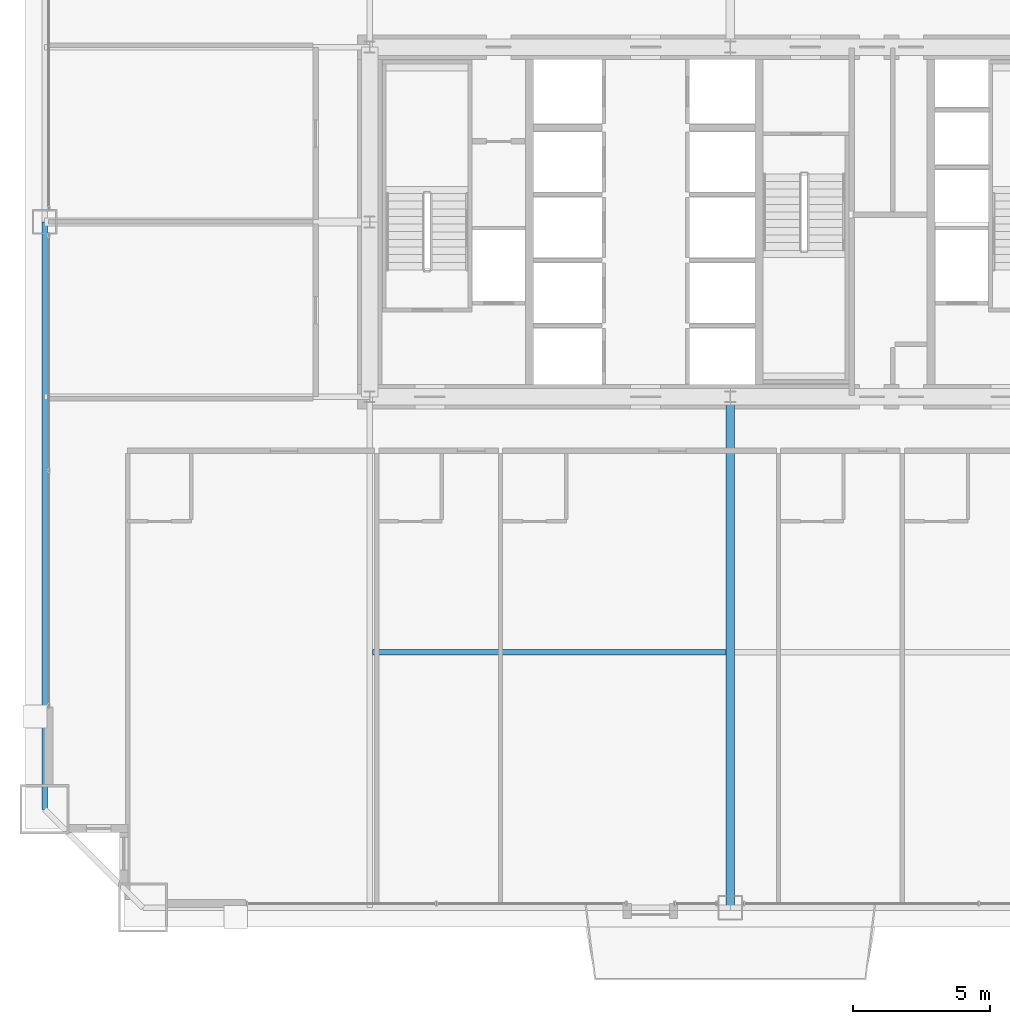
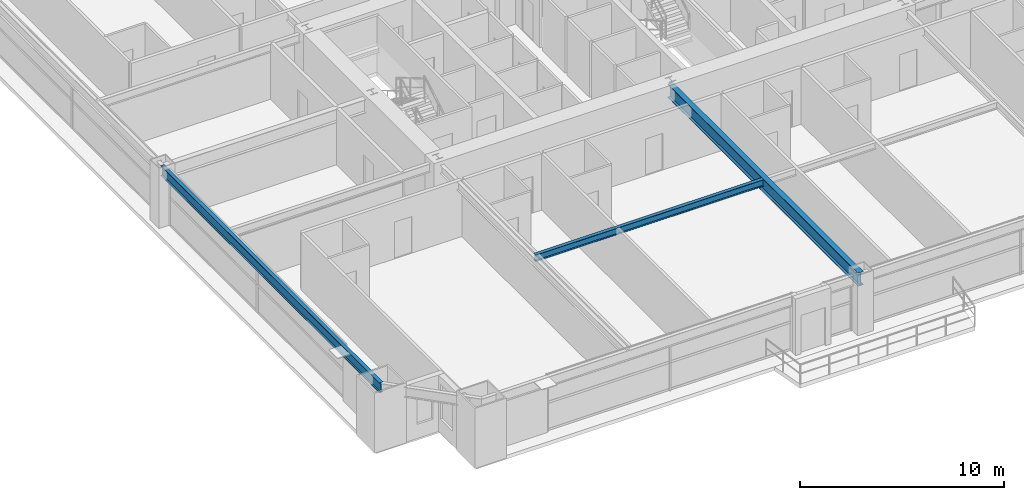
# One storey, part 9 of 43: 3 beams.
"""IFC4 building model written with IfcOpenShell, lengths in metres."""

import ifcopenshell
import ifcopenshell.guid

model = None  # the IFC model being written
_history = None  # IfcOwnerHistory: only IFC2X3 demands one
_inside = {}  # id of a spatial element -> (the spatial element, [elements in it])
_under = {}  # id of a project, library or spatial element -> (it, [spatial elements below it])
_declared = {}  # id of a project -> (the project, [libraries it declares])
_typed = {}  # id of a type object -> (the type object, [elements of that type])
_made_of = {}  # id of a material, layer set ... -> (it, [elements and type objects made of it])


def new_model(schema):
    """Start an empty IFC model of exactly this schema.

    Asked for "IFC4X3", IfcOpenShell would pick the latest addendum, in which some entities
    have other attributes; the version numbers below select the first issue.
    IFC2X3 requires an IfcOwnerHistory on every rooted entity: one is made here for all.
    """
    global model, _history
    if schema == "IFC4X3":
        model = ifcopenshell.file(schema_version=(4, 3, 0, 0))
    else:
        model = ifcopenshell.file(schema=schema)
    _inside.clear()
    _under.clear()
    _declared.clear()
    _typed.clear()
    _made_of.clear()
    _history = None
    if model.schema == "IFC2X3":
        org = make("IfcOrganization", Name="unknown")
        user = make(
            "IfcPersonAndOrganization",
            ThePerson=make("IfcPerson", FamilyName="unknown"),
            TheOrganization=org,
        )
        app = make(
            "IfcApplication",
            ApplicationDeveloper=org,
            Version="unknown",
            ApplicationFullName="unknown",
            ApplicationIdentifier="unknown",
        )
        _history = make(
            "IfcOwnerHistory",
            OwningUser=user,
            OwningApplication=app,
            ChangeAction="ADDED",
            CreationDate=0,
        )
    return model


def make(cls, **values):
    """One entity of the class cls with the attributes given. An attribute that is None is left unset."""
    return model.create_entity(
        cls, **{name: value for name, value in values.items() if value is not None}
    )


def rooted(cls, **values):
    """An entity with a GlobalId (a new one), such as an element, a storey or a relation."""
    return make(cls, GlobalId=ifcopenshell.guid.new(), OwnerHistory=_history, **values)


def si_unit(unit_type, name, prefix=None):
    """IfcSIUnit, for example si_unit("LENGTHUNIT", "METRE", prefix="MILLI")."""
    return make("IfcSIUnit", UnitType=unit_type, Prefix=prefix, Name=name)


def assignment(units):
    """IfcUnitAssignment: the units of a project."""
    return None if units is None else make("IfcUnitAssignment", Units=units)


def point(xyz):
    """IfcCartesianPoint."""
    return None if xyz is None else make("IfcCartesianPoint", Coordinates=xyz)


def direction(xyz):
    """IfcDirection."""
    return None if xyz is None else make("IfcDirection", DirectionRatios=xyz)


def frame(location, z_axis=None, x_axis=None):
    """IfcAxis2Placement3D, a coordinate frame: its origin and axes. An axis left out is left unset."""
    return make(
        "IfcAxis2Placement3D",
        Location=point(location),
        Axis=direction(z_axis),
        RefDirection=direction(x_axis),
    )


def frame_2d(location, x_axis=None):
    """IfcAxis2Placement2D, a coordinate frame in the plane: its origin and x axis."""
    return make(
        "IfcAxis2Placement2D", Location=point(location), RefDirection=direction(x_axis)
    )


def origin():
    """The frame at (0, 0, 0) with its axes left unset."""
    return frame((0.0, 0.0, 0.0))


def origin_2d():
    """The frame at (0, 0) in the plane with its x axis left unset."""
    return frame_2d((0.0, 0.0))


def place(relative_to, where):
    """IfcLocalPlacement: puts the frame where relative to a parent placement (None: the world)."""
    return make(
        "IfcLocalPlacement", PlacementRelTo=relative_to, RelativePlacement=where
    )


def context(
    kind, dimensions, precision=None, world=None, true_north=None, identifier=None
):
    """IfcGeometricRepresentationContext, for example the 3D "Model" context."""
    return make(
        "IfcGeometricRepresentationContext",
        ContextIdentifier=identifier,
        ContextType=kind,
        CoordinateSpaceDimension=dimensions,
        Precision=precision,
        WorldCoordinateSystem=world,
        TrueNorth=true_north,
    )


def subcontext(parent, identifier, kind, view, scale=None):
    """IfcGeometricRepresentationSubContext, for example "Body" below "Model"."""
    return make(
        "IfcGeometricRepresentationSubContext",
        ContextIdentifier=identifier,
        ContextType=kind,
        ParentContext=parent,
        TargetScale=scale,
        TargetView=view,
    )


def project(units=None, contexts=None):
    """IfcProject with its units and contexts."""
    return rooted(
        "IfcProject",
        Name="project",
        RepresentationContexts=contexts,
        UnitsInContext=assignment(units),
    )


def spatial(cls, under=None, at=None, **own):
    """A site, building, storey or space (cls), placed at a placement, below another one or the project."""
    s = rooted(cls, ObjectPlacement=at, **own)
    if under is not None:
        _under.setdefault(under.id(), (under, []))[1].append(s)
    return s


def profile(cls, at=None, kind="AREA", **sizes):
    """A parametric profile (cls). Its sizes go by their IFC names, for example OverallWidth=200.0."""
    return make(cls, ProfileType=kind, Position=at, **sizes)


def i_section(**sizes):
    """IfcIShapeProfileDef."""
    return profile("IfcIShapeProfileDef", **sizes)


def extrude(swept, where, along, depth):
    """IfcExtrudedAreaSolid: the profile swept, set in the frame where, extruded along a direction by depth."""
    return make(
        "IfcExtrudedAreaSolid",
        SweptArea=swept,
        Position=where,
        ExtrudedDirection=direction(along),
        Depth=depth,
    )


def shape(context_of_items, identifier, shape_type, items):
    """IfcShapeRepresentation: the items that make up one representation, for example the "Body"."""
    return make(
        "IfcShapeRepresentation",
        ContextOfItems=context_of_items,
        RepresentationIdentifier=identifier,
        RepresentationType=shape_type,
        Items=items,
    )


def source(mapping_origin, context_of_items, identifier, shape_type, items):
    """IfcRepresentationMap: a shape defined once, which mapped items show again and again."""
    return make(
        "IfcRepresentationMap",
        MappingOrigin=mapping_origin,
        MappedRepresentation=shape(context_of_items, identifier, shape_type, items),
    )


def transform(
    local_origin,
    x_axis=None,
    y_axis=None,
    z_axis=None,
    scale=None,
    scale2=None,
    scale3=None,
    uniform=True,
):
    """IfcCartesianTransformationOperator3D, or its non-uniform kind. x_axis, y_axis, z_axis: its Axis1, 2, 3."""
    if uniform:
        return make(
            "IfcCartesianTransformationOperator3D",
            Axis1=direction(x_axis),
            Axis2=direction(y_axis),
            LocalOrigin=point(local_origin),
            Scale=scale,
            Axis3=direction(z_axis),
        )
    return make(
        "IfcCartesianTransformationOperator3DnonUniform",
        Axis1=direction(x_axis),
        Axis2=direction(y_axis),
        LocalOrigin=point(local_origin),
        Scale=scale,
        Axis3=direction(z_axis),
        Scale2=scale2,
        Scale3=scale3,
    )


def mapped(mapping_source, mapping_target):
    """IfcMappedItem: shows the shape of a source again, moved by a transform."""
    return make(
        "IfcMappedItem", MappingSource=mapping_source, MappingTarget=mapping_target
    )


def material(Name=None, Category=None):
    """IfcMaterial."""
    return make("IfcMaterial", Name=Name, Category=Category)


def material_profile(
    of_material, cross_section, Name=None, Category=None, Priority=None
):
    """IfcMaterialProfile: a cross section and its material."""
    return make(
        "IfcMaterialProfile",
        Name=Name,
        Material=of_material,
        Profile=cross_section,
        Priority=Priority,
        Category=Category,
    )


def profile_set(profiles, Name=None, composite=None):
    """IfcMaterialProfileSet."""
    return make(
        "IfcMaterialProfileSet",
        Name=Name,
        MaterialProfiles=profiles,
        CompositeProfile=composite,
    )


def made_of(thing, what):
    """Note that an element or type object is made of a material, layer set ...; save() writes the relation."""
    if what is not None:
        _made_of.setdefault(what.id(), (what, []))[1].append(thing)
    return thing


def type_object(cls, material=None, **own):
    """A type object (cls), such as IfcWallType, which elements share."""
    return made_of(rooted(cls, **own), material)


def element(
    cls,
    number,
    at=None,
    inside=None,
    cuts=None,
    type_object=None,
    material=None,
    context=None,
    identifier="Body",
    shape_type=None,
    held_by="IfcProductDefinitionShape",
    body=None,
    shapes=None,
    **own,
):
    """One element of the class cls, such as IfcWall. Its Tag is "e" and its number.

    at: its placement. inside: the storey or other place that contains it. cuts: it is an
    opening in that element (IfcRelVoidsElement). A single representation is given by context,
    identifier, shape_type and body (its items); several are given by shapes. held_by: the class
    of the entity that holds the representations. save() writes the other relations.
    """
    e = rooted(cls, Tag="e%d" % number, ObjectPlacement=at, **own)
    if body is not None:
        shapes = [shape(context, identifier, shape_type, body)]
    if shapes is not None:
        e.Representation = make(held_by, Representations=shapes)
    if inside is not None:
        _inside.setdefault(inside.id(), (inside, []))[1].append(e)
    if cuts is not None:
        rooted(
            "IfcRelVoidsElement", RelatingBuildingElement=cuts, RelatedOpeningElement=e
        )
    if type_object is not None:
        _typed.setdefault(type_object.id(), (type_object, []))[1].append(e)
    return made_of(e, material)


def aggregate(whole, parts):
    """IfcRelAggregates: a whole, such as a stair, and the parts it consists of."""
    return rooted("IfcRelAggregates", RelatingObject=whole, RelatedObjects=parts)


def save(model, path):
    """Write the relations noted so far, then the file.

    IfcRelAggregates (storeys below a building ...), IfcRelContainedInSpatialStructure (elements
    in a storey), IfcRelDefinesByType, IfcRelAssociatesMaterial and IfcRelDeclares: one each for
    every whole, place, type object, material and project.
    """
    for whole, parts in _under.values():
        aggregate(whole, parts)
    for where, things in _inside.values():
        rooted(
            "IfcRelContainedInSpatialStructure",
            RelatedElements=things,
            RelatingStructure=where,
        )
    for kind, things in _typed.values():
        rooted("IfcRelDefinesByType", RelatedObjects=things, RelatingType=kind)
    for what, things in _made_of.values():
        rooted("IfcRelAssociatesMaterial", RelatedObjects=things, RelatingMaterial=what)
    for by, libraries in _declared.values():
        rooted("IfcRelDeclares", RelatingContext=by, RelatedDefinitions=libraries)
    model.write(path)


model = new_model("IFC4")

# Units and contexts
model_context = context("Model", 3, precision=1e-05, world=origin(), true_north=direction((0.0, 1.0)))
body_context = subcontext(model_context, "Body", "Model", "MODEL_VIEW")
ifc_project = project(units=[si_unit("LENGTHUNIT", "METRE"), si_unit("AREAUNIT", "SQUARE_METRE"), si_unit("VOLUMEUNIT", "CUBIC_METRE"), si_unit("PLANEANGLEUNIT", "RADIAN"), si_unit("MASSUNIT", "GRAM", prefix="KILO"), si_unit("THERMODYNAMICTEMPERATUREUNIT", "KELVIN"), si_unit("POWERUNIT", "WATT")], contexts=[model_context])

# Site, building, storey
site_placement = place(None, origin())
site = spatial("IfcSite", under=ifc_project, at=site_placement, CompositionType="ELEMENT")
building_placement = place(site_placement, origin())
building = spatial("IfcBuilding", under=site, at=building_placement, Name="Yuzanri Waterfront Tower", CompositionType="ELEMENT")
storey_placement = place(building_placement, frame((0.0, 0.0, 71.199951171875)))
storey = spatial("IfcBuildingStorey", under=building, at=storey_placement, Name="L18", CompositionType="ELEMENT", Elevation=71.199951171875)

# Beams
ifc_material_1 = material(Name="Steel Q355B", Category="steel")
ifc_material_profile_1 = material_profile(ifc_material_1, i_section(OverallWidth=0.199951171875, OverallDepth=0.60009765625, WebThickness=0.010986328125, FlangeThickness=0.01708984375, at=origin_2d()), Name="HN 600x200x11x17")
ifc_profile_set_1 = profile_set([ifc_material_profile_1], Name="Steel Q355B")
beam_type_1 = type_object("IfcBeamType", Name="Perimeter Spandrel Q355B HN 600x200", PredefinedType="SPANDREL", material=ifc_profile_set_1)
shared_shape_1 = source(origin(), body_context, "Body", "SweptSolid", [
    extrude(i_section(OverallWidth=0.199951171875, OverallDepth=0.60009765625, WebThickness=0.010986328125, FlangeThickness=0.01708984375, at=origin_2d()), origin(), (0.0, 0.0, 1.0), 21.5),
])
beam_1_placement = place(storey_placement, frame((11.89990234375, 25.800048828125, 3.080078125), z_axis=(0.0, -1.0, 0.0), x_axis=(1.0, 0.0, 0.0)))
element("IfcBeam", 1, at=beam_1_placement, inside=storey, type_object=beam_type_1, Name="L18 Perimeter Spandrel W2-W1", PredefinedType="SPANDREL", context=body_context, shape_type="MappedRepresentation", body=[
    mapped(shared_shape_1, transform((0.0, 0.0, 0.0), scale=1.0)),
])
ifc_material_2 = material(Name="Steel Q355B", Category="steel")
ifc_material_profile_2 = material_profile(ifc_material_2, i_section(OverallWidth=0.300048828125, OverallDepth=0.800048828125, WebThickness=0.013916015625, FlangeThickness=0.02587890625, at=origin_2d()), Name="HN 800x300x14x26")
ifc_profile_set_2 = profile_set([ifc_material_profile_2], Name="Steel Q355B")
beam_type_2 = type_object("IfcBeamType", Name="Primary Floor Girder Q355B HN 800x300", PredefinedType="BEAM", material=ifc_profile_set_2)
shared_shape_2 = source(origin(), body_context, "Body", "SweptSolid", [
    extrude(i_section(OverallWidth=0.300048828125, OverallDepth=0.800048828125, WebThickness=0.013916015625, FlangeThickness=0.02587890625, at=origin_2d()), origin(), (0.0, 0.0, 1.0), 18.699951171875),
])
beam_2_placement = place(storey_placement, frame((37.0, 19.39990234375, 2.97998046875), z_axis=(0.0, -1.0, 0.0), x_axis=(1.0, 0.0, 0.0)))
element("IfcBeam", 2, at=beam_2_placement, inside=storey, type_object=beam_type_2, Name="L18 South Grid Girder", PredefinedType="BEAM", context=body_context, shape_type="MappedRepresentation", body=[
    mapped(shared_shape_2, transform((0.0, 0.0, 0.0), scale=1.0)),
])
ifc_material_3 = material(Name="Steel Q355B", Category="steel")
ifc_material_profile_3 = material_profile(ifc_material_3, i_section(OverallWidth=0.199951171875, OverallDepth=0.39990234375, WebThickness=0.008056640625, FlangeThickness=0.012939453125, at=origin_2d()), Name="HN 400x200x8x13")
ifc_profile_set_3 = profile_set([ifc_material_profile_3], Name="Steel Q355B")
beam_type_3 = type_object("IfcBeamType", Name="Floor Joist Q355B HN 400x200", PredefinedType="JOIST", material=ifc_profile_set_3)
shared_shape_3 = source(origin(), body_context, "Body", "SweptSolid", [
    extrude(i_section(OverallWidth=0.199951171875, OverallDepth=0.39990234375, WebThickness=0.008056640625, FlangeThickness=0.012939453125, at=origin_2d()), origin(), (0.0, 0.0, 1.0), 12.9501953125),
])
beam_3_placement = place(storey_placement, frame((23.89990234375, 10.050048828125, 3.179931640625), z_axis=(1.0, 0.0, 0.0), x_axis=(0.0, 1.0, 0.0)))
element("IfcBeam", 3, at=beam_3_placement, inside=storey, type_object=beam_type_3, Name="L18 South Bay Joist W", PredefinedType="JOIST", context=body_context, shape_type="MappedRepresentation", body=[
    mapped(shared_shape_3, transform((0.0, 0.0, 0.0), scale=1.0)),
])

save(model, "model.ifc")
